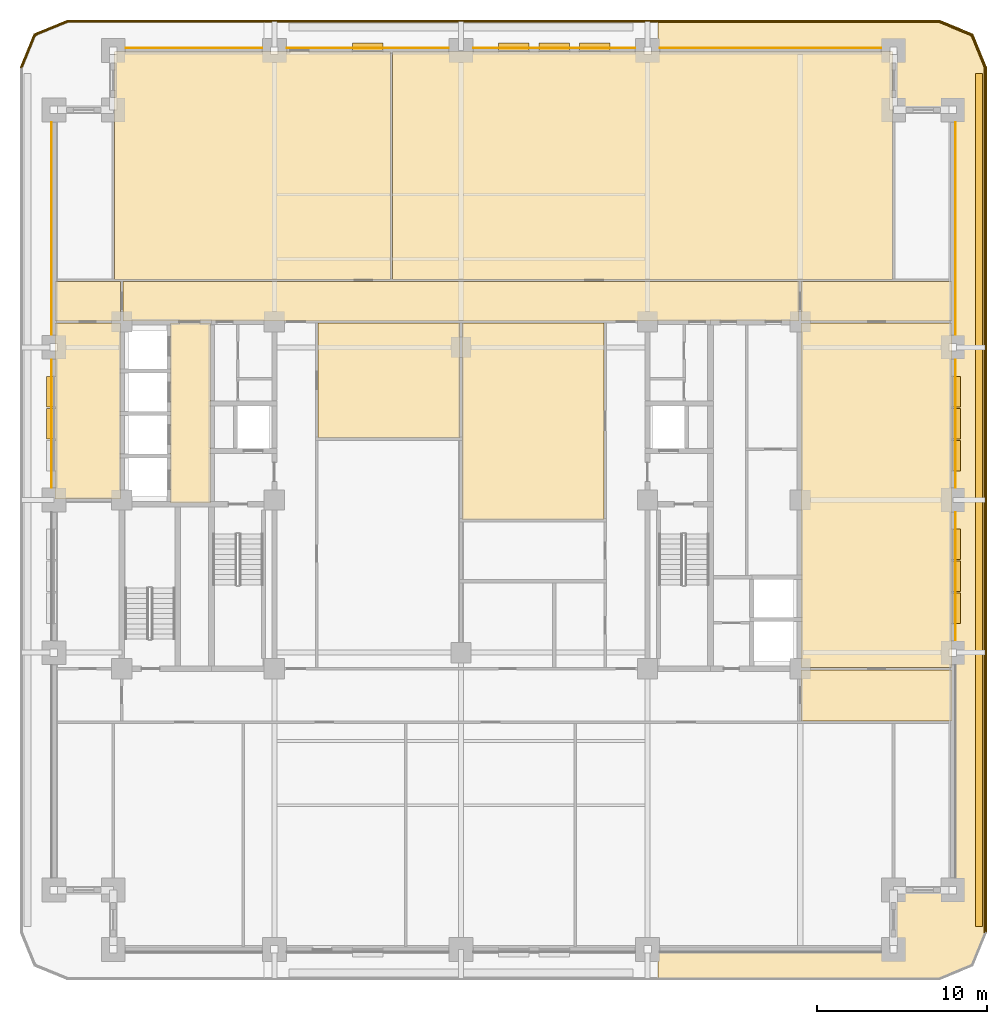
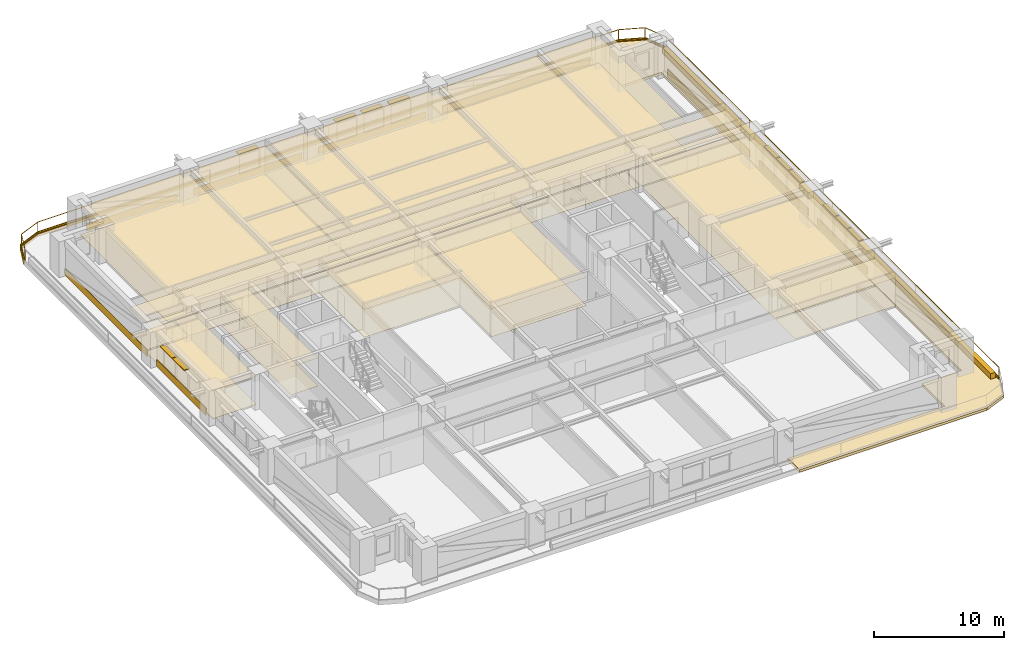
# One storey, part 14 of 14: 39 coverings, 12 shading devices, 2 railings.
"""IFC4 building model written with IfcOpenShell, lengths in metres."""

from ifc_helpers import new_model, si_unit, direction, frame, frame_2d, origin, origin_2d, place, context, subcontext, project, spatial, polyline, rectangle, outline, extrude, material, layer, layer_set, type_object, element, save


model = new_model("IFC4")

# Units and contexts
model_context = context("Model", 3, precision=1e-05, world=origin(), true_north=direction((0.0, 1.0)))
body_context = subcontext(model_context, "Body", "Model", "MODEL_VIEW")
ifc_project = project(units=[si_unit("LENGTHUNIT", "METRE"), si_unit("AREAUNIT", "SQUARE_METRE"), si_unit("VOLUMEUNIT", "CUBIC_METRE"), si_unit("PLANEANGLEUNIT", "RADIAN"), si_unit("MASSUNIT", "GRAM", prefix="KILO")], contexts=[model_context])

# Site, building, storey
site_placement = place(None, origin())
site = spatial("IfcSite", under=ifc_project, at=site_placement, CompositionType="ELEMENT")
building_placement = place(site_placement, origin())
building = spatial("IfcBuilding", under=site, at=building_placement, Name="Zulmaris Gate Convention Tower", CompositionType="ELEMENT")
storey_placement = place(building_placement, frame((0.0, 0.0, 41.47998046875)))
storey = spatial("IfcBuildingStorey", under=building, at=storey_placement, Name="L09", CompositionType="ELEMENT", Elevation=41.47998046875)

# Coverings
ifc_material_1 = material(Name="Precast concrete C40/50", Category="concrete")
ifc_layer_1 = layer(ifc_material_1, 0.0400390625, Name="Precast concrete C40/50")
ifc_layer_set_1 = layer_set([ifc_layer_1], Name="Precast concrete C40/50")
covering_type_1 = type_object("IfcCoveringType", Name="CLAD-SPANDREL-PRECAST", PredefinedType="CLADDING", material=ifc_layer_set_1)
covering_1_placement = place(storey_placement, frame((-11.72998046875, 26.64990234375, 0.0), z_axis=(0.0, 0.0, 1.0), x_axis=(-1.0, 0.0, 0.0)))
element("IfcCovering", 1, at=covering_1_placement, inside=storey, type_object=covering_type_1, Name="CLD-L09-N-0_0", PredefinedType="CLADDING", context=body_context, shape_type="SweptSolid", body=[
    extrude(rectangle(XDim=8.0400390625, YDim=0.0400390625, at=frame_2d((4.02001953125, 0.0))), origin(), (0.0, 0.0, 1.0), 0.679931640625),
])
for number, where, z_axis, x_axis, name in (
    (2, (-0.72998046875, 26.64990234375, 0.0), (0.0, 0.0, 1.0), (-1.0, 0.0, 0.0), "CLD-L09-N-1_0"),
    (3, (10.27001953125, 26.64990234375, 0.0), (0.0, 0.0, 1.0), (-1.0, 0.0, 0.0), "CLD-L09-N-2_0"),
):
    element("IfcCovering", number, at=place(storey_placement, frame(where, z_axis=z_axis, x_axis=x_axis)), inside=storey, type_object=covering_type_1, Name=name, PredefinedType="CLADDING", context=body_context, shape_type="SweptSolid", body=[
        extrude(rectangle(XDim=9.5400390625, YDim=0.0400390625, at=frame_2d((4.77001953125, 0.0))), origin(), (0.0, 0.0, 1.0), 0.679931640625),
    ])
covering_2_placement = place(storey_placement, frame((24.77001953125, 26.64990234375, 0.0), z_axis=(0.0, 0.0, 1.0), x_axis=(-1.0, 0.0, 0.0)))
element("IfcCovering", 4, at=covering_2_placement, inside=storey, type_object=covering_type_1, Name="CLD-L09-N-3_0", PredefinedType="CLADDING", context=body_context, shape_type="SweptSolid", body=[
    extrude(rectangle(XDim=13.0400390625, YDim=0.0400390625, at=frame_2d((6.52001953125, 0.0))), origin(), (0.0, 0.0, 1.0), 0.679931640625),
])
for number, where, z_axis, x_axis, name in (
    (5, (29.14990234375, -8.27001953125, 0.0), (0.0, 0.0, 1.0), (0.0, 1.0, 0.0), "CLD-L09-E-1_0"),
    (6, (29.14990234375, 0.72998046875, 0.0), (0.0, 0.0, 1.0), (0.0, 1.0, 0.0), "CLD-L09-E-2_0"),
):
    element("IfcCovering", number, at=place(storey_placement, frame(where, z_axis=z_axis, x_axis=x_axis)), inside=storey, type_object=covering_type_1, Name=name, PredefinedType="CLADDING", context=body_context, shape_type="SweptSolid", body=[
        extrude(rectangle(XDim=7.5400390625, YDim=0.0400390625, at=frame_2d((3.77001953125, 0.0))), origin(), (0.0, 0.0, 1.0), 0.679931640625),
    ])
covering_3_placement = place(storey_placement, frame((29.14990234375, 9.72998046875, 0.0), z_axis=(0.0, 0.0, 1.0), x_axis=(0.0, 1.0, 0.0)))
element("IfcCovering", 7, at=covering_3_placement, inside=storey, type_object=covering_type_1, Name="CLD-L09-E-3_0", PredefinedType="CLADDING", context=body_context, shape_type="SweptSolid", body=[
    extrude(rectangle(XDim=12.5400390625, YDim=0.0400390625, at=frame_2d((6.27001953125, 0.0))), origin(), (0.0, 0.0, 1.0), 0.679931640625),
])
covering_4_placement = place(storey_placement, frame((-24.14990234375, 8.27001953125, 0.0), z_axis=(0.0, 0.0, 1.0), x_axis=(0.0, -1.0, 0.0)))
element("IfcCovering", 8, at=covering_4_placement, inside=storey, type_object=covering_type_1, Name="CLD-L09-W-2_0", PredefinedType="CLADDING", context=body_context, shape_type="SweptSolid", body=[
    extrude(rectangle(XDim=7.5400390625, YDim=0.0400390625, at=frame_2d((3.77001953125, 0.0))), origin(), (0.0, 0.0, 1.0), 0.679931640625),
])
covering_5_placement = place(storey_placement, frame((-24.14990234375, 22.27001953125, 0.0), z_axis=(0.0, 0.0, 1.0), x_axis=(0.0, -1.0, 0.0)))
element("IfcCovering", 9, at=covering_5_placement, inside=storey, type_object=covering_type_1, Name="CLD-L09-W-3_0", PredefinedType="CLADDING", context=body_context, shape_type="SweptSolid", body=[
    extrude(rectangle(XDim=12.5400390625, YDim=0.0400390625, at=frame_2d((6.27001953125, 0.0))), origin(), (0.0, 0.0, 1.0), 0.679931640625),
])
ifc_material_2 = material(Name="White Glazed Architectural Precast Concrete C40/50", Category="concrete")
ifc_layer_2 = layer(ifc_material_2, 0.239990234375, Name="White Glazed Architectural Precast Concrete C40/50")
ifc_layer_set_2 = layer_set([ifc_layer_2], Name="White Glazed Architectural Precast Concrete C40/50")
covering_type_2 = type_object("IfcCoveringType", Name="CLAD-TRAY-DECK", PredefinedType="CLADDING", material=ifc_layer_set_2)
covering_6_placement = place(storey_placement, frame((0.0, 0.0, -0.25)))
element("IfcCovering", 10, at=covering_6_placement, inside=storey, type_object=covering_type_2, Name="L09 East Rounded-Fascia Planter Tray Deck", PredefinedType="CLADDING", context=body_context, shape_type="SweptSolid", body=[
    extrude(outline(polyline([(28.199951171875, 28.300048828125), (30.179931640625, 27.47998046875), (31.0, 25.5), (31.0, -25.5), (30.179931640625, -27.47998046875), (28.199951171875, -28.300048828125), (11.60205078125, -28.300048828125), (11.60205078125, -26.5), (25.5, -26.5), (25.5, -23.0), (29.0, -23.0), (29.0, 23.0), (25.5, 23.0), (25.5, 26.5), (11.60205078125, 26.5), (11.60205078125, 28.300048828125), (28.199951171875, 28.300048828125)])), origin(), (0.0, 0.0, 1.0), 0.239990234375),
])
ifc_layer_3 = layer(ifc_material_2, 0.080078125, Name="White Glazed Architectural Precast Concrete C40/50")
ifc_layer_set_3 = layer_set([ifc_layer_3], Name="White Glazed Architectural Precast Concrete C40/50")
covering_type_3 = type_object("IfcCoveringType", Name="CLAD-TRAY-FASCIA", PredefinedType="CLADDING", material=ifc_layer_set_3)
covering_7_placement = place(storey_placement, frame((30.9599609375, -25.5, -0.2900390625), z_axis=(0.0, 0.0, 1.0), x_axis=(0.0, 1.0, 0.0)))
element("IfcCovering", 11, at=covering_7_placement, inside=storey, type_object=covering_type_3, Name="FSC-L09-TR-05", PredefinedType="CLADDING", context=body_context, shape_type="SweptSolid", body=[
    extrude(rectangle(XDim=51.0, YDim=0.080078125, at=frame_2d((25.5, 0.0))), origin(), (0.0, 0.0, 1.0), 0.43994140625),
])
covering_8_placement = place(storey_placement, frame((30.962890625, 25.484619140625, -0.2900390625), z_axis=(0.0, 0.0, 1.0), x_axis=(-0.382656984709, 0.923890487046, 0.0)))
element("IfcCovering", 12, at=covering_8_placement, inside=storey, type_object=covering_type_3, Name="FSC-L09-TR-06", PredefinedType="CLADDING", context=body_context, shape_type="SweptSolid", body=[
    extrude(rectangle(XDim=2.14306640625, YDim=0.080078125, at=frame_2d((1.071533203125, 0.0))), origin(), (0.0, 0.0, 1.0), 0.43994140625),
])
covering_9_placement = place(storey_placement, frame((30.16455078125, 27.44287109375, -0.2900390625), z_axis=(0.0, 0.0, 1.0), x_axis=(-0.923873803533, 0.382697263049, 0.0)))
element("IfcCovering", 13, at=covering_9_placement, inside=storey, type_object=covering_type_3, Name="FSC-L09-TR-07", PredefinedType="CLADDING", context=body_context, shape_type="SweptSolid", body=[
    extrude(rectangle(XDim=2.142822265625, YDim=0.080078125, at=frame_2d((1.0712890625, 0.0))), origin(), (0.0, 0.0, 1.0), 0.43994140625),
])
covering_10_placement = place(storey_placement, frame((28.199951171875, 28.260009765625, -0.2900390625), z_axis=(0.0, 0.0, 1.0), x_axis=(-1.0, 0.0, 0.0)))
element("IfcCovering", 14, at=covering_10_placement, inside=storey, type_object=covering_type_3, Name="FSC-L09-TR-08", PredefinedType="CLADDING", context=body_context, shape_type="SweptSolid", body=[
    extrude(rectangle(XDim=51.39990234375, YDim=0.080078125, at=frame_2d((25.699951171875, 0.0))), origin(), (0.0, 0.0, 1.0), 0.43994140625),
])
covering_11_placement = place(storey_placement, frame((-23.184814453125, 28.262939453125, -0.2900390625), z_axis=(0.0, 0.0, 1.0), x_axis=(-0.923873803533, -0.382697263049, 0.0)))
element("IfcCovering", 15, at=covering_11_placement, inside=storey, type_object=covering_type_3, Name="FSC-L09-TR-09", PredefinedType="CLADDING", context=body_context, shape_type="SweptSolid", body=[
    extrude(rectangle(XDim=2.142822265625, YDim=0.080078125, at=frame_2d((1.0712890625, 0.0))), origin(), (0.0, 0.0, 1.0), 0.43994140625),
])
covering_12_placement = place(storey_placement, frame((-25.142822265625, 27.464599609375, -0.2900390625), z_axis=(0.0, 0.0, 1.0), x_axis=(-0.382656984709, -0.923890487046, 0.0)))
element("IfcCovering", 16, at=covering_12_placement, inside=storey, type_object=covering_type_3, Name="FSC-L09-TR-10", PredefinedType="CLADDING", context=body_context, shape_type="SweptSolid", body=[
    extrude(rectangle(XDim=2.14306640625, YDim=0.080078125, at=frame_2d((1.071533203125, 0.0))), origin(), (0.0, 0.0, 1.0), 0.43994140625),
])
ifc_material_3 = material(Name="Mineral Fibre Acoustic Ceiling Tile")
ifc_layer_4 = layer(ifc_material_3, 0.02001953125, Name="Mineral Fibre Acoustic Ceiling Tile")
ifc_layer_set_4 = layer_set([ifc_layer_4], Name="Mineral Fibre Acoustic Ceiling Tile")
covering_type_4 = type_object("IfcCoveringType", Name="CLG-ACOUSTIC-600", PredefinedType="CEILING", material=ifc_layer_set_4)
covering_13_placement = place(storey_placement, frame((0.0, 0.0, 2.6279296875)))
element("IfcCovering", 17, at=covering_13_placement, inside=storey, type_object=covering_type_4, Name="CLG-L09-R19", PredefinedType="CEILING", context=body_context, shape_type="SweptSolid", body=[
    extrude(outline(polyline([(-17.139892578125, -0.18994140625), (-14.760009765625, -0.18994140625), (-14.760009765625, 10.43994140625), (-17.139892578125, 10.43994140625), (-17.139892578125, -0.18994140625)])), origin(), (0.0, 0.0, 1.0), 0.02001953125),
])
covering_14_placement = place(storey_placement, frame((0.0, 0.0, 2.6279296875)))
element("IfcCovering", 18, at=covering_14_placement, inside=storey, type_object=covering_type_4, Name="CLG-L09-R33", PredefinedType="CEILING", context=body_context, shape_type="SweptSolid", body=[
    extrude(outline(polyline([(-19.93994140625, 10.56005859375), (19.93994140625, 10.56005859375), (19.93994140625, 12.889892578125), (-19.93994140625, 12.889892578125), (-19.93994140625, 10.56005859375)])), origin(), (0.0, 0.0, 1.0), 0.02001953125),
])
covering_15_placement = place(storey_placement, frame((0.0, 0.0, 2.6279296875)))
element("IfcCovering", 19, at=covering_15_placement, inside=storey, type_object=covering_type_4, Name="CLG-L09-R37", PredefinedType="CEILING", context=body_context, shape_type="SweptSolid", body=[
    extrude(outline(polyline([(-20.43994140625, 13.010009765625), (-4.159912109375, 13.010009765625), (-4.159912109375, 26.43994140625), (-20.43994140625, 26.43994140625), (-20.43994140625, 13.010009765625)])), origin(), (0.0, 0.0, 1.0), 0.02001953125),
])
covering_16_placement = place(storey_placement, frame((0.0, 0.0, 2.6279296875)))
element("IfcCovering", 20, at=covering_16_placement, inside=storey, type_object=covering_type_4, Name="CLG-L09-R38", PredefinedType="CEILING", context=body_context, shape_type="SweptSolid", body=[
    extrude(outline(polyline([(-4.0400390625, 13.010009765625), (25.43994140625, 13.010009765625), (25.43994140625, 26.43994140625), (-4.0400390625, 26.43994140625), (-4.0400390625, 13.010009765625)])), origin(), (0.0, 0.0, 1.0), 0.02001953125),
])
covering_17_placement = place(storey_placement, frame((0.0, 0.0, 2.6279296875)))
element("IfcCovering", 21, at=covering_17_placement, inside=storey, type_object=covering_type_4, Name="CLG-L09-R43", PredefinedType="CEILING", context=body_context, shape_type="SweptSolid", body=[
    extrude(outline(polyline([(-8.43994140625, 3.659912109375), (-0.06005859375, 3.659912109375), (-0.06005859375, 10.43994140625), (-8.43994140625, 10.43994140625), (-8.43994140625, 3.659912109375)])), origin(), (0.0, 0.0, 1.0), 0.02001953125),
])
covering_18_placement = place(storey_placement, frame((0.0, 0.0, 2.6279296875)))
element("IfcCovering", 22, at=covering_18_placement, inside=storey, type_object=covering_type_4, Name="CLG-L09-R45", PredefinedType="CEILING", context=body_context, shape_type="SweptSolid", body=[
    extrude(outline(polyline([(0.06005859375, -1.139892578125), (8.43994140625, -1.139892578125), (8.43994140625, 10.43994140625), (0.06005859375, 10.43994140625), (0.06005859375, -1.139892578125)])), origin(), (0.0, 0.0, 1.0), 0.02001953125),
])
covering_19_placement = place(storey_placement, frame((0.0, 0.0, 2.6279296875)))
element("IfcCovering", 23, at=covering_19_placement, inside=storey, type_object=covering_type_4, Name="CLG-L09-R49", PredefinedType="CEILING", context=body_context, shape_type="SweptSolid", body=[
    extrude(outline(polyline([(-23.93994140625, 10.56005859375), (-20.06005859375, 10.56005859375), (-20.06005859375, 12.889892578125), (-23.93994140625, 12.889892578125), (-23.93994140625, 10.56005859375)])), origin(), (0.0, 0.0, 1.0), 0.02001953125),
])
covering_20_placement = place(storey_placement, frame((0.0, 0.0, 2.6279296875)))
element("IfcCovering", 24, at=covering_20_placement, inside=storey, type_object=covering_type_4, Name="CLG-L09-R51", PredefinedType="CEILING", context=body_context, shape_type="SweptSolid", body=[
    extrude(outline(polyline([(-23.93994140625, 0.06005859375), (-20.06005859375, 0.06005859375), (-20.06005859375, 10.43994140625), (-23.93994140625, 10.43994140625), (-23.93994140625, 0.06005859375)])), origin(), (0.0, 0.0, 1.0), 0.02001953125),
])
covering_21_placement = place(storey_placement, frame((0.0, 0.0, 2.6279296875)))
element("IfcCovering", 25, at=covering_21_placement, inside=storey, type_object=covering_type_4, Name="CLG-L09-R53", PredefinedType="CEILING", context=body_context, shape_type="SweptSolid", body=[
    extrude(outline(polyline([(20.06005859375, 10.56005859375), (28.93994140625, 10.56005859375), (28.93994140625, 12.889892578125), (20.06005859375, 12.889892578125), (20.06005859375, 10.56005859375)])), origin(), (0.0, 0.0, 1.0), 0.02001953125),
])
covering_22_placement = place(storey_placement, frame((0.0, 0.0, 2.6279296875)))
element("IfcCovering", 26, at=covering_22_placement, inside=storey, type_object=covering_type_4, Name="CLG-L09-R54", PredefinedType="CEILING", context=body_context, shape_type="SweptSolid", body=[
    extrude(outline(polyline([(20.06005859375, -13.0400390625), (28.93994140625, -13.0400390625), (28.93994140625, -10.010009765625), (20.06005859375, -10.010009765625), (20.06005859375, -13.0400390625)])), origin(), (0.0, 0.0, 1.0), 0.02001953125),
])
covering_23_placement = place(storey_placement, frame((0.0, 0.0, 2.6279296875)))
element("IfcCovering", 27, at=covering_23_placement, inside=storey, type_object=covering_type_4, Name="CLG-L09-R55", PredefinedType="CEILING", context=body_context, shape_type="SweptSolid", body=[
    extrude(outline(polyline([(20.06005859375, -9.889892578125), (28.93994140625, -9.889892578125), (28.93994140625, 10.43994140625), (20.06005859375, 10.43994140625), (20.06005859375, -9.889892578125)])), origin(), (0.0, 0.0, 1.0), 0.02001953125),
])
ifc_material_4 = material(Name="Woven Acoustic Wool Carpet Tile")
ifc_layer_5 = layer(ifc_material_4, 0.02001953125, Name="Woven Acoustic Wool Carpet Tile")
ifc_layer_set_5 = layer_set([ifc_layer_5], Name="Woven Acoustic Wool Carpet Tile")
covering_type_5 = type_object("IfcCoveringType", Name="FLR-CARPET-12", PredefinedType="FLOORING", material=ifc_layer_set_5)
covering_24_placement = place(storey_placement, origin())
element("IfcCovering", 28, at=covering_24_placement, inside=storey, type_object=covering_type_5, Name="FLR-L09-R19", PredefinedType="FLOORING", context=body_context, shape_type="SweptSolid", body=[
    extrude(outline(polyline([(-17.139892578125, -0.18994140625), (-14.760009765625, -0.18994140625), (-14.760009765625, 10.43994140625), (-17.139892578125, 10.43994140625), (-17.139892578125, -0.18994140625)])), origin(), (0.0, 0.0, 1.0), 0.02001953125),
])
covering_25_placement = place(storey_placement, origin())
element("IfcCovering", 29, at=covering_25_placement, inside=storey, type_object=covering_type_5, Name="FLR-L09-R33", PredefinedType="FLOORING", context=body_context, shape_type="SweptSolid", body=[
    extrude(outline(polyline([(-19.93994140625, 10.56005859375), (19.93994140625, 10.56005859375), (19.93994140625, 12.889892578125), (-19.93994140625, 12.889892578125), (-19.93994140625, 10.56005859375)])), origin(), (0.0, 0.0, 1.0), 0.02001953125),
])
covering_26_placement = place(storey_placement, origin())
element("IfcCovering", 30, at=covering_26_placement, inside=storey, type_object=covering_type_5, Name="FLR-L09-R37", PredefinedType="FLOORING", context=body_context, shape_type="SweptSolid", body=[
    extrude(outline(polyline([(-20.43994140625, 13.010009765625), (-4.159912109375, 13.010009765625), (-4.159912109375, 26.43994140625), (-20.43994140625, 26.43994140625), (-20.43994140625, 13.010009765625)])), origin(), (0.0, 0.0, 1.0), 0.02001953125),
])
covering_27_placement = place(storey_placement, origin())
element("IfcCovering", 31, at=covering_27_placement, inside=storey, type_object=covering_type_5, Name="FLR-L09-R38", PredefinedType="FLOORING", context=body_context, shape_type="SweptSolid", body=[
    extrude(outline(polyline([(-4.0400390625, 13.010009765625), (25.43994140625, 13.010009765625), (25.43994140625, 26.43994140625), (-4.0400390625, 26.43994140625), (-4.0400390625, 13.010009765625)])), origin(), (0.0, 0.0, 1.0), 0.02001953125),
])
covering_28_placement = place(storey_placement, origin())
element("IfcCovering", 32, at=covering_28_placement, inside=storey, type_object=covering_type_5, Name="FLR-L09-R45", PredefinedType="FLOORING", context=body_context, shape_type="SweptSolid", body=[
    extrude(outline(polyline([(0.06005859375, -1.139892578125), (8.43994140625, -1.139892578125), (8.43994140625, 10.43994140625), (0.06005859375, 10.43994140625), (0.06005859375, -1.139892578125)])), origin(), (0.0, 0.0, 1.0), 0.02001953125),
])
covering_29_placement = place(storey_placement, origin())
element("IfcCovering", 33, at=covering_29_placement, inside=storey, type_object=covering_type_5, Name="FLR-L09-R49", PredefinedType="FLOORING", context=body_context, shape_type="SweptSolid", body=[
    extrude(outline(polyline([(-23.93994140625, 10.56005859375), (-20.06005859375, 10.56005859375), (-20.06005859375, 12.889892578125), (-23.93994140625, 12.889892578125), (-23.93994140625, 10.56005859375)])), origin(), (0.0, 0.0, 1.0), 0.02001953125),
])
covering_30_placement = place(storey_placement, origin())
element("IfcCovering", 34, at=covering_30_placement, inside=storey, type_object=covering_type_5, Name="FLR-L09-R51", PredefinedType="FLOORING", context=body_context, shape_type="SweptSolid", body=[
    extrude(outline(polyline([(-23.93994140625, 0.06005859375), (-20.06005859375, 0.06005859375), (-20.06005859375, 10.43994140625), (-23.93994140625, 10.43994140625), (-23.93994140625, 0.06005859375)])), origin(), (0.0, 0.0, 1.0), 0.02001953125),
])
covering_31_placement = place(storey_placement, origin())
element("IfcCovering", 35, at=covering_31_placement, inside=storey, type_object=covering_type_5, Name="FLR-L09-R53", PredefinedType="FLOORING", context=body_context, shape_type="SweptSolid", body=[
    extrude(outline(polyline([(20.06005859375, 10.56005859375), (28.93994140625, 10.56005859375), (28.93994140625, 12.889892578125), (20.06005859375, 12.889892578125), (20.06005859375, 10.56005859375)])), origin(), (0.0, 0.0, 1.0), 0.02001953125),
])
covering_32_placement = place(storey_placement, origin())
element("IfcCovering", 36, at=covering_32_placement, inside=storey, type_object=covering_type_5, Name="FLR-L09-R54", PredefinedType="FLOORING", context=body_context, shape_type="SweptSolid", body=[
    extrude(outline(polyline([(20.06005859375, -13.0400390625), (28.93994140625, -13.0400390625), (28.93994140625, -10.010009765625), (20.06005859375, -10.010009765625), (20.06005859375, -13.0400390625)])), origin(), (0.0, 0.0, 1.0), 0.02001953125),
])
covering_33_placement = place(storey_placement, origin())
element("IfcCovering", 37, at=covering_33_placement, inside=storey, type_object=covering_type_5, Name="FLR-L09-R55", PredefinedType="FLOORING", context=body_context, shape_type="SweptSolid", body=[
    extrude(outline(polyline([(20.06005859375, -9.889892578125), (28.93994140625, -9.889892578125), (28.93994140625, 10.43994140625), (20.06005859375, 10.43994140625), (20.06005859375, -9.889892578125)])), origin(), (0.0, 0.0, 1.0), 0.02001953125),
])
ifc_material_5 = material(Name="Engineered Teak Parquet Flooring")
ifc_layer_6 = layer(ifc_material_5, 0.02001953125, Name="Engineered Teak Parquet Flooring")
ifc_layer_set_6 = layer_set([ifc_layer_6], Name="Engineered Teak Parquet Flooring")
covering_type_6 = type_object("IfcCoveringType", Name="FLR-TIMBER-18", PredefinedType="FLOORING", material=ifc_layer_set_6)
covering_34_placement = place(storey_placement, origin())
element("IfcCovering", 38, at=covering_34_placement, inside=storey, type_object=covering_type_6, Name="FLR-L09-R43", PredefinedType="FLOORING", context=body_context, shape_type="SweptSolid", body=[
    extrude(outline(polyline([(-8.43994140625, 3.659912109375), (-0.06005859375, 3.659912109375), (-0.06005859375, 10.43994140625), (-8.43994140625, 10.43994140625), (-8.43994140625, 3.659912109375)])), origin(), (0.0, 0.0, 1.0), 0.02001953125),
])
ifc_material_6 = material(Name="Botanical Green Glazed Precast Concrete C40/50", Category="concrete")
ifc_layer_7 = layer(ifc_material_6, 0.419921875, Name="Botanical Green Glazed Precast Concrete C40/50")
ifc_layer_set_7 = layer_set([ifc_layer_7], Name="Botanical Green Glazed Precast Concrete C40/50")
covering_type_7 = type_object("IfcCoveringType", Name="PLANTER-BOX-200", PredefinedType="CLADDING", material=ifc_layer_set_7)
covering_35_placement = place(storey_placement, frame((0.0, 0.0, -0.010009765625)))
element("IfcCovering", 39, at=covering_35_placement, inside=storey, type_object=covering_type_7, Name="L09 E Full-Length Balcony Tree Planter Trough", PredefinedType="CLADDING", context=body_context, shape_type="SweptSolid", body=[
    extrude(outline(polyline([(30.340087890625, -25.14990234375), (30.760009765625, -25.14990234375), (30.760009765625, 25.14990234375), (30.340087890625, 25.14990234375), (30.340087890625, -25.14990234375)])), origin(), (0.0, 0.0, 1.0), 0.52001953125),
])

# Railings
ifc_material_7 = material(Name="Laminated Glass and Stainless Steel", Category="steel")
railing_type = type_object("IfcRailingType", Name="RL-BALC-1150", PredefinedType="BALUSTRADE", material=ifc_material_7)
railing_1_placement = place(storey_placement, frame((30.8798828125, -25.5, -0.010009765625)))
element("IfcRailing", 40, at=railing_1_placement, inside=storey, type_object=railing_type, Name="RL-L09-BALC-E", PredefinedType="BALUSTRADE", context=body_context, shape_type="SweptSolid", body=[
    extrude(rectangle(XDim=0.048095703125, YDim=0.048095703125, at=origin_2d()), frame((0.0, 0.0, 1.1259765625), z_axis=(0.0, 1.0, 0.0), x_axis=(-1.0, 0.0, 0.0)), (0.0, 0.0, 1.0), 51.0),
    extrude(rectangle(XDim=0.048095703125, YDim=0.048095703125, at=origin_2d()), frame((0.0, 0.0, 0.02392578125), z_axis=(0.0, 1.0, 0.0), x_axis=(-1.0, 0.0, 0.0)), (0.0, 0.0, 1.0), 51.0),
    extrude(rectangle(XDim=0.0419921875, YDim=0.0419921875, at=origin_2d()), origin(), (0.0, 0.0, 1.0), 1.101806640625),
    extrude(rectangle(XDim=0.0419921875, YDim=0.0419921875, at=origin_2d()), frame((0.0, 12.75, 0.0)), (0.0, 0.0, 1.0), 1.101806640625),
    extrude(rectangle(XDim=0.0419921875, YDim=0.0419921875, at=origin_2d()), frame((0.0, 25.5, 0.0)), (0.0, 0.0, 1.0), 1.101806640625),
    extrude(rectangle(XDim=0.0419921875, YDim=0.0419921875, at=origin_2d()), frame((0.0, 38.25, 0.0)), (0.0, 0.0, 1.0), 1.101806640625),
    extrude(rectangle(XDim=0.0419921875, YDim=0.0419921875, at=origin_2d()), frame((0.0, 51.0, 0.0)), (0.0, 0.0, 1.0), 1.101806640625),
])
railing_2_placement = place(storey_placement, frame((30.8798828125, 25.5, -0.010009765625)))
element("IfcRailing", 41, at=railing_2_placement, inside=storey, type_object=railing_type, Name="RL-L09-BALC-N", PredefinedType="BALUSTRADE", context=body_context, shape_type="SweptSolid", body=[
    extrude(rectangle(XDim=0.048095703125, YDim=0.048095703125, at=origin_2d()), frame((0.0, 0.0, 1.1259765625), z_axis=(-0.382670664694, 0.92388482095, 0.0), x_axis=(-0.92388482095, -0.382670664694, 0.0)), (0.0, 0.0, 1.0), 2.051025390625),
    extrude(rectangle(XDim=0.048095703125, YDim=0.048095703125, at=origin_2d()), frame((0.0, 0.0, 0.02392578125), z_axis=(-0.382670664694, 0.92388482095, 0.0), x_axis=(-0.92388482095, -0.382670664694, 0.0)), (0.0, 0.0, 1.0), 2.051025390625),
    extrude(rectangle(XDim=0.048095703125, YDim=0.048095703125, at=origin_2d()), frame((-0.784912109375, 1.89501953125, 1.1259765625), z_axis=(-0.92388482095, 0.382670664694, 0.0), x_axis=(-0.382670664694, -0.92388482095, 0.0)), (0.0, 0.0, 1.0), 2.051025390625),
    extrude(rectangle(XDim=0.048095703125, YDim=0.048095703125, at=origin_2d()), frame((-0.784912109375, 1.89501953125, 0.02392578125), z_axis=(-0.92388482095, 0.382670664694, 0.0), x_axis=(-0.382670664694, -0.92388482095, 0.0)), (0.0, 0.0, 1.0), 2.051025390625),
    extrude(rectangle(XDim=0.048095703125, YDim=0.048095703125, at=origin_2d()), frame((-2.679931640625, 2.679931640625, 1.1259765625), z_axis=(-1.0, 0.0, 0.0), x_axis=(0.0, -1.0, 0.0)), (0.0, 0.0, 1.0), 51.39990234375),
    extrude(rectangle(XDim=0.048095703125, YDim=0.048095703125, at=origin_2d()), frame((-2.679931640625, 2.679931640625, 0.02392578125), z_axis=(-1.0, 0.0, 0.0), x_axis=(0.0, -1.0, 0.0)), (0.0, 0.0, 1.0), 51.39990234375),
    extrude(rectangle(XDim=0.048095703125, YDim=0.048095703125, at=origin_2d()), frame((-54.079833984375, 2.679931640625, 1.1259765625), z_axis=(-0.92388482095, -0.382670664694, 0.0), x_axis=(0.382670664694, -0.92388482095, 0.0)), (0.0, 0.0, 1.0), 2.051025390625),
    extrude(rectangle(XDim=0.048095703125, YDim=0.048095703125, at=origin_2d()), frame((-54.079833984375, 2.679931640625, 0.02392578125), z_axis=(-0.92388482095, -0.382670664694, 0.0), x_axis=(0.382670664694, -0.92388482095, 0.0)), (0.0, 0.0, 1.0), 2.051025390625),
    extrude(rectangle(XDim=0.048095703125, YDim=0.048095703125, at=origin_2d()), frame((-55.974853515625, 1.89501953125, 1.1259765625), z_axis=(-0.382670664694, -0.92388482095, 0.0), x_axis=(0.92388482095, -0.382670664694, 0.0)), (0.0, 0.0, 1.0), 2.051025390625),
    extrude(rectangle(XDim=0.048095703125, YDim=0.048095703125, at=origin_2d()), frame((-55.974853515625, 1.89501953125, 0.02392578125), z_axis=(-0.382670664694, -0.92388482095, 0.0), x_axis=(0.92388482095, -0.382670664694, 0.0)), (0.0, 0.0, 1.0), 2.051025390625),
    extrude(rectangle(XDim=0.0419921875, YDim=0.0419921875, at=origin_2d()), origin(), (0.0, 0.0, 1.0), 1.101806640625),
    extrude(rectangle(XDim=0.0419921875, YDim=0.0419921875, at=origin_2d()), frame((-0.784912109375, 1.89501953125, 0.0)), (0.0, 0.0, 1.0), 1.101806640625),
    extrude(rectangle(XDim=0.0419921875, YDim=0.0419921875, at=origin_2d()), frame((-2.679931640625, 2.679931640625, 0.0)), (0.0, 0.0, 1.0), 1.101806640625),
    extrude(rectangle(XDim=0.0419921875, YDim=0.0419921875, at=origin_2d()), frame((-15.52978515625, 2.679931640625, 0.0)), (0.0, 0.0, 1.0), 1.101806640625),
    extrude(rectangle(XDim=0.0419921875, YDim=0.0419921875, at=origin_2d()), frame((-28.3798828125, 2.679931640625, 0.0)), (0.0, 0.0, 1.0), 1.101806640625),
    extrude(rectangle(XDim=0.0419921875, YDim=0.0419921875, at=origin_2d()), frame((-41.22998046875, 2.679931640625, 0.0)), (0.0, 0.0, 1.0), 1.101806640625),
    extrude(rectangle(XDim=0.0419921875, YDim=0.0419921875, at=origin_2d()), frame((-54.079833984375, 2.679931640625, 0.0)), (0.0, 0.0, 1.0), 1.101806640625),
    extrude(rectangle(XDim=0.0419921875, YDim=0.0419921875, at=origin_2d()), frame((-55.974853515625, 1.89501953125, 0.0)), (0.0, 0.0, 1.0), 1.101806640625),
    extrude(rectangle(XDim=0.0419921875, YDim=0.0419921875, at=origin_2d()), frame((-56.759765625, 0.0, 0.0)), (0.0, 0.0, 1.0), 1.101806640625),
])

# Shading devices
ifc_material_8 = material(Name="Glazed Ceramic Terracotta", Category="masonry")
ifc_layer_8 = layer(ifc_material_8, 0.070068359375, Name="Glazed Ceramic Terracotta")
ifc_layer_set_8 = layer_set([ifc_layer_8], Name="Glazed Ceramic Terracotta")
shading_device_type = type_object("IfcShadingDeviceType", Name="SHD-SUNSHADE-TC", PredefinedType="AWNING", material=ifc_layer_set_8)
for number, where, z_axis, x_axis, name in (
    (42, (-4.60009765625, 26.719970703125, 2.530029296875), (0.0, 0.0, 1.0), (-1.0, 0.0, 0.0), "SHD-EW-L09-N-1_0-2"),
    (43, (8.784912109375, 26.719970703125, 2.530029296875), (0.0, 0.0, 1.0), (-1.0, 0.0, 0.0), "SHD-EW-L09-N-2_0-1"),
    (44, (6.39990234375, 26.719970703125, 2.530029296875), (0.0, 0.0, 1.0), (-1.0, 0.0, 0.0), "SHD-EW-L09-N-2_0-2"),
    (45, (4.014892578125, 26.719970703125, 2.530029296875), (0.0, 0.0, 1.0), (-1.0, 0.0, 0.0), "SHD-EW-L09-N-2_0-3"),
    (46, (29.219970703125, -7.284912109375, 2.530029296875), (0.0, 0.0, 1.0), (0.0, 1.0, 0.0), "SHD-EW-L09-E-1_0-1"),
    (47, (29.219970703125, -5.39990234375, 2.530029296875), (0.0, 0.0, 1.0), (0.0, 1.0, 0.0), "SHD-EW-L09-E-1_0-2"),
    (48, (29.219970703125, -3.514892578125, 2.530029296875), (0.0, 0.0, 1.0), (0.0, 1.0, 0.0), "SHD-EW-L09-E-1_0-3"),
    (49, (29.219970703125, 1.715087890625, 2.530029296875), (0.0, 0.0, 1.0), (0.0, 1.0, 0.0), "SHD-EW-L09-E-2_0-1"),
    (50, (29.219970703125, 3.60009765625, 2.530029296875), (0.0, 0.0, 1.0), (0.0, 1.0, 0.0), "SHD-EW-L09-E-2_0-2"),
    (51, (29.219970703125, 5.485107421875, 2.530029296875), (0.0, 0.0, 1.0), (0.0, 1.0, 0.0), "SHD-EW-L09-E-2_0-3"),
    (52, (-24.219970703125, 7.284912109375, 2.530029296875), (0.0, 0.0, 1.0), (0.0, -1.0, 0.0), "SHD-EW-L09-W-2_0-1"),
    (53, (-24.219970703125, 5.39990234375, 2.530029296875), (0.0, 0.0, 1.0), (0.0, -1.0, 0.0), "SHD-EW-L09-W-2_0-2"),
):
    element("IfcShadingDevice", number, at=place(storey_placement, frame(where, z_axis=z_axis, x_axis=x_axis)), inside=storey, type_object=shading_device_type, Name=name, PredefinedType="AWNING", context=body_context, shape_type="SweptSolid", body=[
        extrude(rectangle(XDim=1.7998046875, YDim=0.43994140625, at=frame_2d((0.89990234375, 0.0))), origin(), (0.0, 0.0, 1.0), 0.070068359375),
    ])

save(model, "model.ifc")
